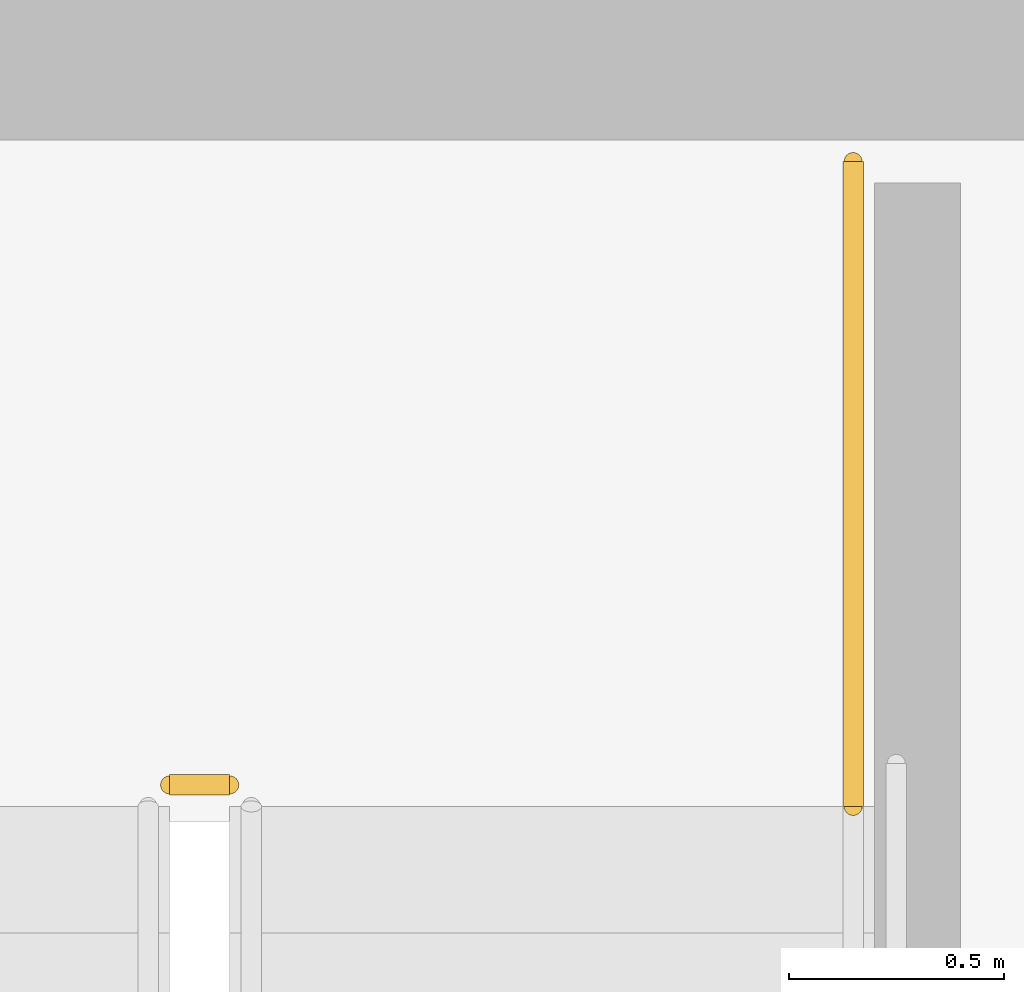
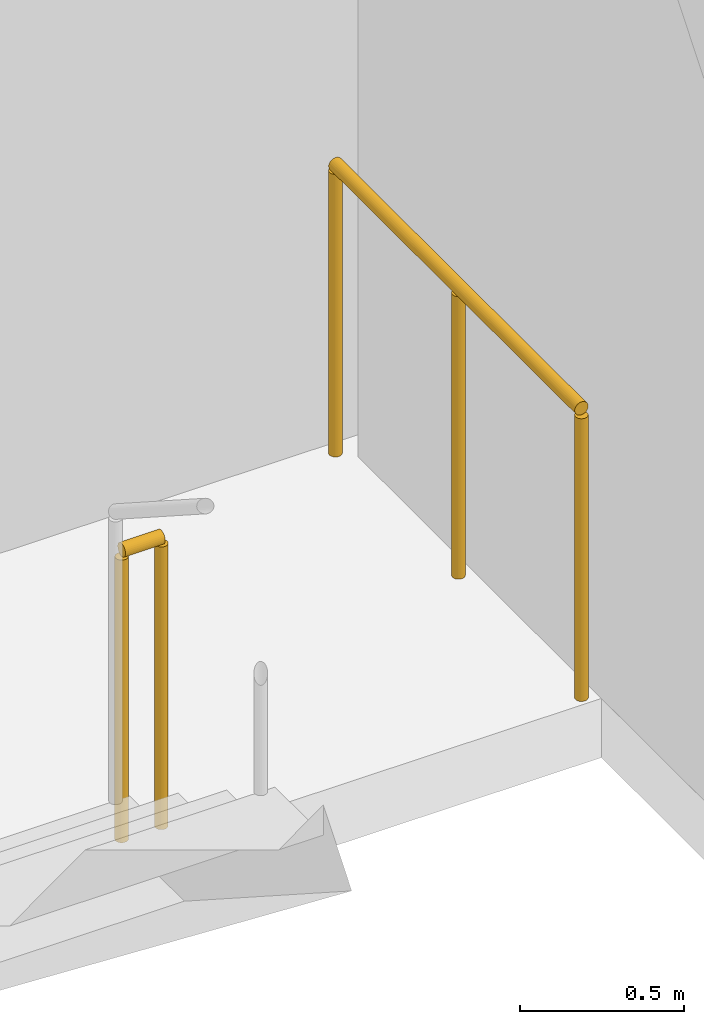
# One storey, part 32 of 32: 2 railings.
"""IFC4 building model written with IfcOpenShell, lengths in metres."""

from ifc_helpers import new_model, si_unit, direction, frame, origin, origin_2d, place, context, subcontext, project, spatial, circle, extrude, material, layer, layer_set, type_object, element, save


model = new_model("IFC4")

# Units and contexts
model_context = context("Model", 3, precision=1e-05, world=origin(), true_north=direction((0.0, 1.0)))
body_context = subcontext(model_context, "Body", "Model", "MODEL_VIEW")
ifc_project = project(units=[si_unit("LENGTHUNIT", "METRE"), si_unit("AREAUNIT", "SQUARE_METRE"), si_unit("VOLUMEUNIT", "CUBIC_METRE"), si_unit("PLANEANGLEUNIT", "RADIAN"), si_unit("MASSUNIT", "GRAM", prefix="KILO")], contexts=[model_context])

# Site, building, storey
site_placement = place(None, origin())
site = spatial("IfcSite", under=ifc_project, at=site_placement, CompositionType="ELEMENT")
building_placement = place(site_placement, origin())
building = spatial("IfcBuilding", under=site, at=building_placement, Name="Ndaravel Arena Tower", CompositionType="ELEMENT")
storey_placement = place(building_placement, frame((0.0, 0.0, 259.800048828125)))
storey = spatial("IfcBuildingStorey", under=building, at=storey_placement, Name="L63", CompositionType="ELEMENT", Elevation=259.800048828125)

# Railings
ifc_material = material(Name="Steel S355", Category="steel")
ifc_layer = layer(ifc_material, 0.06005859375)
ifc_layer_set = layer_set([ifc_layer], Name="Steel S355")
railing_type = type_object("IfcRailingType", Name="RAIL-STAIR-GD1100", PredefinedType="GUARDRAIL", material=ifc_layer_set)
railing_1_placement = place(storey_placement, frame((55.10009765625, 13.300048828125, 0.0)))
element("IfcRailing", 1, at=railing_1_placement, inside=storey, type_object=railing_type, Name="L63 ST-3 stair guard 4", PredefinedType="GUARDRAIL", context=body_context, shape_type="SweptSolid", body=[
    extrude(circle(Radius=0.02392578125, at=origin_2d()), frame((0.0, 0.0, 1.076171875), z_axis=(1.0, 0.0, 0.0), x_axis=(0.0, 1.0, 0.0)), (0.0, 0.0, 1.0), 0.139892578125),
    extrude(circle(Radius=0.02099609375, at=origin_2d()), origin(), (0.0, 0.0, 1.0), 1.052001953125),
    extrude(circle(Radius=0.02099609375, at=origin_2d()), frame((0.139892578125, 0.0, 0.0)), (0.0, 0.0, 1.0), 1.052001953125),
])
railing_2_placement = place(storey_placement, frame((56.68994140625, 14.75, 0.0)))
element("IfcRailing", 2, at=railing_2_placement, inside=storey, type_object=railing_type, Name="L63 ST-3 stair guard 5", PredefinedType="GUARDRAIL", context=body_context, shape_type="SweptSolid", body=[
    extrude(circle(Radius=0.02392578125, at=origin_2d()), frame((0.0, 0.0, 1.076171875), z_axis=(0.0, -1.0, 0.0), x_axis=(1.0, 0.0, 0.0)), (0.0, 0.0, 1.0), 1.5),
    extrude(circle(Radius=0.02099609375, at=origin_2d()), origin(), (0.0, 0.0, 1.0), 1.052001953125),
    extrude(circle(Radius=0.02099609375, at=origin_2d()), frame((0.0, -0.75, 0.0)), (0.0, 0.0, 1.0), 1.052001953125),
    extrude(circle(Radius=0.02099609375, at=origin_2d()), frame((0.0, -1.5, 0.0)), (0.0, 0.0, 1.0), 1.052001953125),
])

save(model, "model.ifc")
